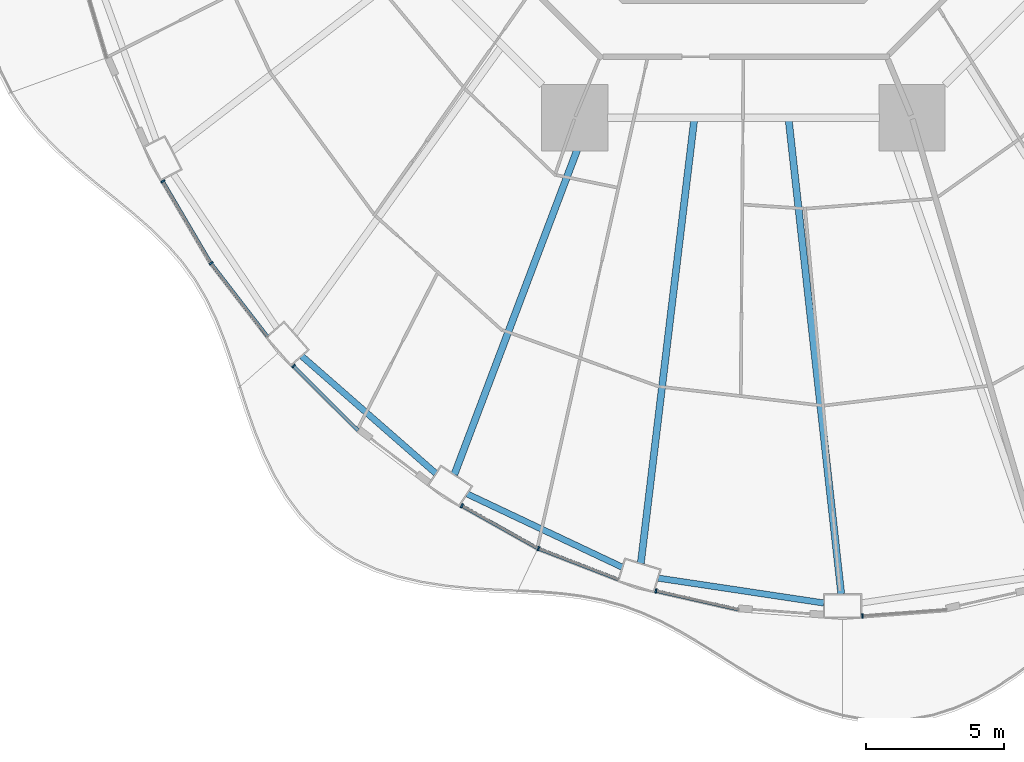
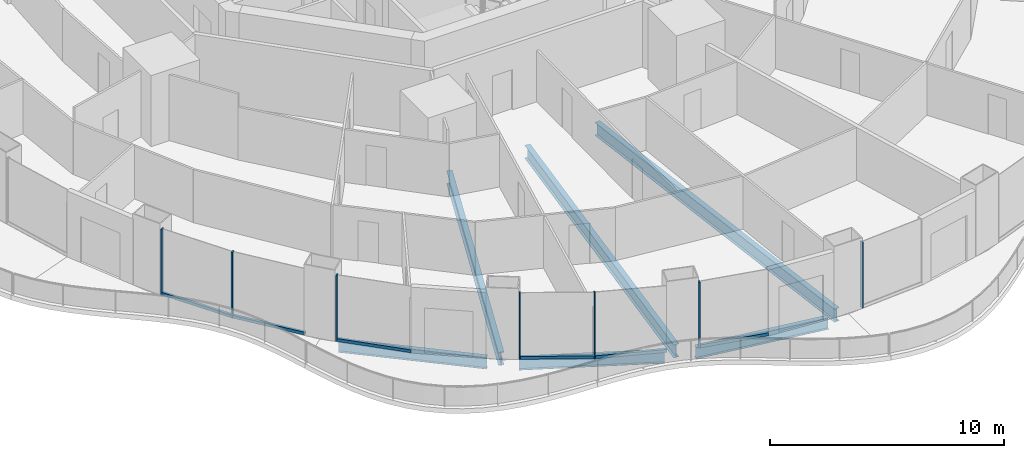
# One storey, part 2 of 22: 13 members, 6 beams, 7 elements without a shape of their own.
"""IFC4 building model written with IfcOpenShell, lengths in metres."""

from ifc_helpers import new_model, si_unit, direction, frame, origin, origin_2d, place, context, subcontext, project, spatial, rectangle, i_section, extrude, material, layer, layer_set, material_profile, profile_set, type_object, element, aggregate, save


model = new_model("IFC4")

# Units and contexts
model_context = context("Model", 3, precision=1e-05, world=origin(), true_north=direction((0.0, 1.0)))
body_context = subcontext(model_context, "Body", "Model", "MODEL_VIEW")
ifc_project = project(units=[si_unit("LENGTHUNIT", "METRE"), si_unit("AREAUNIT", "SQUARE_METRE"), si_unit("VOLUMEUNIT", "CUBIC_METRE"), si_unit("PLANEANGLEUNIT", "RADIAN"), si_unit("MASSUNIT", "GRAM", prefix="KILO")], contexts=[model_context])

# Site, building, storey
site_placement = place(None, origin())
site = spatial("IfcSite", under=ifc_project, at=site_placement, CompositionType="ELEMENT")
building_placement = place(site_placement, origin())
building = spatial("IfcBuilding", under=site, at=building_placement, Name="Nagisa Residences", CompositionType="ELEMENT")
storey_placement = place(building_placement, frame((0.0, 0.0, 41.800048828125)))
storey = spatial("IfcBuildingStorey", under=building, at=storey_placement, Name="L09", CompositionType="ELEMENT", Elevation=41.800048828125)

# Curtain wall, member
ifc_material_1 = material(Name="Concrete-coloured aluminium curtain wall system", Category="concrete")
ifc_layer = layer(ifc_material_1, 0.159912109375)
ifc_layer_set = layer_set([ifc_layer], Name="CW1 CURTAIN WALL")
curtain_wall_type = type_object("IfcCurtainWallType", Name="CW1 CURTAIN WALL", PredefinedType="NOTDEFINED", material=ifc_layer_set)
curtain_wall_1_placement = place(storey_placement, origin())
curtain_wall_1 = element("IfcCurtainWall", 1, at=curtain_wall_1_placement, inside=storey, type_object=curtain_wall_type, Name="cw:CW1:L09:28", PredefinedType="NOTDEFINED")
ifc_material_2 = material(Name="Concrete-coloured aluminium", Category="concrete")
ifc_material_profile_1 = material_profile(ifc_material_2, rectangle(XDim=0.159912109375, YDim=0.06005859375, at=origin_2d()), Name="CW1 MULLION 160x60")
ifc_profile_set_1 = profile_set([ifc_material_profile_1], Name="Concrete-coloured aluminium")
member_type_1 = type_object("IfcMemberType", Name="CW1 MULLION 160x60", PredefinedType="MULLION", material=ifc_profile_set_1)
member_1_placement = place(storey_placement, frame((-21.076171875, -17.089111328125, 0.0), z_axis=(0.0, 0.0, 1.0), x_axis=(0.862328898214, 0.506348567002, 0.0)))
member_1 = element("IfcMember", 2, at=member_1_placement, type_object=member_type_1, Name="CW1 mullion", PredefinedType="MULLION", context=body_context, shape_type="SweptSolid", body=[
    extrude(rectangle(XDim=0.159912109375, YDim=0.06005859375, at=origin_2d()), origin(), (0.0, 0.0, 1.0), 3.43994140625),
])

curtain_wall_2_placement = place(storey_placement, origin())
curtain_wall_2 = element("IfcCurtainWall", 3, at=curtain_wall_2_placement, inside=storey, type_object=curtain_wall_type, Name="cw:CW1:L09:29", PredefinedType="NOTDEFINED")
member_2_placement = place(storey_placement, frame((-19.32568359375, -20.06396484375, 0.0), z_axis=(0.0, 0.0, 1.0), x_axis=(0.792070340816, 0.610429828235, 0.0)))
member_2 = element("IfcMember", 4, at=member_2_placement, type_object=member_type_1, Name="CW1 mullion", PredefinedType="MULLION", context=body_context, shape_type="SweptSolid", body=[
    extrude(rectangle(XDim=0.159912109375, YDim=0.06005859375, at=origin_2d()), origin(), (0.0, 0.0, 1.0), 3.43994140625),
])

curtain_wall_3_placement = place(storey_placement, origin())
curtain_wall_3 = element("IfcCurtainWall", 5, at=curtain_wall_3_placement, inside=storey, type_object=curtain_wall_type, Name="cw:CW1:L09:30", PredefinedType="NOTDEFINED")
member_3_placement = place(storey_placement, frame((-16.332763671875, -23.79345703125, 0.0), z_axis=(0.0, 0.0, 1.0), x_axis=(0.706376885714, 0.707835924016, 0.0)))
member_3 = element("IfcMember", 6, at=member_3_placement, type_object=member_type_1, Name="CW1 mullion", PredefinedType="MULLION", context=body_context, shape_type="SweptSolid", body=[
    extrude(rectangle(XDim=0.159912109375, YDim=0.06005859375, at=origin_2d()), origin(), (0.0, 0.0, 1.0), 3.43994140625),
])

curtain_wall_4_placement = place(storey_placement, origin())
curtain_wall_4 = element("IfcCurtainWall", 7, at=curtain_wall_4_placement, inside=storey, type_object=curtain_wall_type, Name="cw:CW1:L09:32", PredefinedType="NOTDEFINED")
member_4_placement = place(storey_placement, frame((-10.22412109375, -28.8662109375, 0.0), z_axis=(0.0, 0.0, 1.0), x_axis=(0.489376918501, 0.872072377523, 0.0)))
member_4 = element("IfcMember", 8, at=member_4_placement, type_object=member_type_1, Name="CW1 mullion", PredefinedType="MULLION", context=body_context, shape_type="SweptSolid", body=[
    extrude(rectangle(XDim=0.159912109375, YDim=0.06005859375, at=origin_2d()), origin(), (0.0, 0.0, 1.0), 3.43994140625),
])

curtain_wall_5_placement = place(storey_placement, origin())
curtain_wall_5 = element("IfcCurtainWall", 9, at=curtain_wall_5_placement, inside=storey, type_object=curtain_wall_type, Name="cw:CW1:L09:33", PredefinedType="NOTDEFINED")
member_5_placement = place(storey_placement, frame((-7.44091796875, -30.42431640625, 0.0), z_axis=(0.0, 0.0, 1.0), x_axis=(0.360327770268, 0.932825759707, 0.0)))
member_5 = element("IfcMember", 10, at=member_5_placement, type_object=member_type_1, Name="CW1 mullion", PredefinedType="MULLION", context=body_context, shape_type="SweptSolid", body=[
    extrude(rectangle(XDim=0.159912109375, YDim=0.06005859375, at=origin_2d()), origin(), (0.0, 0.0, 1.0), 3.43994140625),
])

curtain_wall_6_placement = place(storey_placement, origin())
curtain_wall_6 = element("IfcCurtainWall", 11, at=curtain_wall_6_placement, inside=storey, type_object=curtain_wall_type, Name="cw:CW1:L09:34", PredefinedType="NOTDEFINED")
member_6_placement = place(storey_placement, frame((-3.176025390625, -31.958740234375, 0.0), z_axis=(0.0, 0.0, 1.0), x_axis=(0.2207639201, 0.975327274089, 0.0)))
member_6 = element("IfcMember", 12, at=member_6_placement, type_object=member_type_1, Name="CW1 mullion", PredefinedType="MULLION", context=body_context, shape_type="SweptSolid", body=[
    extrude(rectangle(XDim=0.159912109375, YDim=0.06005859375, at=origin_2d()), origin(), (0.0, 0.0, 1.0), 3.43994140625),
])

curtain_wall_7_placement = place(storey_placement, origin())
curtain_wall_7 = element("IfcCurtainWall", 13, at=curtain_wall_7_placement, inside=storey, type_object=curtain_wall_type, Name="cw:CW1:L09:36", PredefinedType="NOTDEFINED")
member_7_placement = place(storey_placement, frame((4.322021484375, -32.865966796875, 0.0), z_axis=(0.0, 0.0, 1.0), x_axis=(-0.074377355493, 0.997230168512, 0.0)))
member_7 = element("IfcMember", 14, at=member_7_placement, type_object=member_type_1, Name="CW1 mullion", PredefinedType="MULLION", context=body_context, shape_type="SweptSolid", body=[
    extrude(rectangle(XDim=0.159912109375, YDim=0.06005859375, at=origin_2d()), origin(), (0.0, 0.0, 1.0), 3.43994140625),
])
aggregate(curtain_wall_7, [member_7])

# Member
ifc_material_3 = material(Name="Concrete-coloured aluminium", Category="concrete")
ifc_material_profile_2 = material_profile(ifc_material_3, rectangle(XDim=0.1201171875, YDim=0.14990234375, at=origin_2d()), Name="CW1 TRANSOM 120x150")
ifc_profile_set_2 = profile_set([ifc_material_profile_2], Name="Concrete-coloured aluminium")
member_type_2 = type_object("IfcMemberType", Name="CW1 TRANSOM 120x150", PredefinedType="USERDEFINED", material=ifc_profile_set_2)
member_8_placement = place(storey_placement, frame((-21.09130859375, -17.063232421875, 0.074951171875), z_axis=(0.506341951316, -0.862332782827, 0.0), x_axis=(0.862332782827, 0.506341951316, 0.0)))
member_8 = element("IfcMember", 15, at=member_8_placement, type_object=member_type_2, Name="CW1 transom", ObjectType="TRANSOM", PredefinedType="USERDEFINED", context=body_context, shape_type="SweptSolid", body=[
    extrude(rectangle(XDim=0.1201171875, YDim=0.14990234375, at=origin_2d()), origin(), (0.0, 0.0, 1.0), 3.4619140625),
])

aggregate(curtain_wall_1, [member_1, member_8])

member_9_placement = place(storey_placement, frame((-19.343994140625, -20.040283203125, 0.074951171875), z_axis=(0.610457147657, -0.792049285635, 0.0), x_axis=(0.792049285635, 0.610457147657, 0.0)))
member_9 = element("IfcMember", 16, at=member_9_placement, type_object=member_type_2, Name="CW1 transom", ObjectType="TRANSOM", PredefinedType="USERDEFINED", context=body_context, shape_type="SweptSolid", body=[
    extrude(rectangle(XDim=0.1201171875, YDim=0.14990234375, at=origin_2d()), origin(), (0.0, 0.0, 1.0), 3.3974609375),
])

aggregate(curtain_wall_2, [member_2, member_9])

member_10_placement = place(storey_placement, frame((-16.35400390625, -23.7724609375, 0.074951171875), z_axis=(0.707839761606, -0.706373040177, 0.0), x_axis=(0.706373040177, 0.707839761606, 0.0)))
member_10 = element("IfcMember", 17, at=member_10_placement, type_object=member_type_2, Name="CW1 transom", ObjectType="TRANSOM", PredefinedType="USERDEFINED", context=body_context, shape_type="SweptSolid", body=[
    extrude(rectangle(XDim=0.1201171875, YDim=0.14990234375, at=origin_2d()), origin(), (0.0, 0.0, 1.0), 3.3291015625),
])

aggregate(curtain_wall_3, [member_3, member_10])

member_11_placement = place(storey_placement, frame((-10.25048828125, -28.8515625, 0.074951171875), z_axis=(0.872070011948, -0.489381133946, 0.0), x_axis=(0.489381133946, 0.872070011948, 0.0)))
member_11 = element("IfcMember", 18, at=member_11_placement, type_object=member_type_2, Name="CW1 transom", ObjectType="TRANSOM", PredefinedType="USERDEFINED", context=body_context, shape_type="SweptSolid", body=[
    extrude(rectangle(XDim=0.1201171875, YDim=0.14990234375, at=origin_2d()), origin(), (0.0, 0.0, 1.0), 3.201171875),
])

aggregate(curtain_wall_4, [member_4, member_11])

member_12_placement = place(storey_placement, frame((-7.468994140625, -30.413330078125, 0.074951171875), z_axis=(0.932835426425, -0.360302743822, 0.0), x_axis=(0.360302743822, 0.932835426425, 0.0)))
member_12 = element("IfcMember", 19, at=member_12_placement, type_object=member_type_2, Name="CW1 transom", ObjectType="TRANSOM", PredefinedType="USERDEFINED", context=body_context, shape_type="SweptSolid", body=[
    extrude(rectangle(XDim=0.1201171875, YDim=0.14990234375, at=origin_2d()), origin(), (0.0, 0.0, 1.0), 3.15087890625),
])

aggregate(curtain_wall_5, [member_5, member_12])

member_13_placement = place(storey_placement, frame((-3.205322265625, -31.9521484375, 0.074951171875), z_axis=(0.97533495413, -0.220729987208, 0.0), x_axis=(0.220729987208, 0.97533495413, 0.0)))
member_13 = element("IfcMember", 20, at=member_13_placement, type_object=member_type_2, Name="CW1 transom", ObjectType="TRANSOM", PredefinedType="USERDEFINED", context=body_context, shape_type="SweptSolid", body=[
    extrude(rectangle(XDim=0.1201171875, YDim=0.14990234375, at=origin_2d()), origin(), (0.0, 0.0, 1.0), 3.11474609375),
])

aggregate(curtain_wall_6, [member_6, member_13])

# Beams
ifc_material_4 = material(Name="Steel ASTM A572 Gr 50", Category="steel")
ifc_material_profile_3 = material_profile(ifc_material_4, i_section(OverallWidth=0.22802734375, OverallDepth=0.60302734375, WebThickness=0.010498046875, FlangeThickness=0.014892578125, at=origin_2d()), Name="W610x101")
ifc_profile_set_3 = profile_set([ifc_material_profile_3], Name="Steel ASTM A572 Gr 50")
beam_type_1 = type_object("IfcBeamType", Name="Perimeter ring beam W610x101", PredefinedType="BEAM", material=ifc_profile_set_3)
beam_1_placement = place(storey_placement, frame((-16.0361328125, -23.432861328125, -0.5615234375), z_axis=(0.752574357292, -0.658507279191, 0.0), x_axis=(0.658507279191, 0.752574357292, 0.0)))
element("IfcBeam", 21, at=beam_1_placement, inside=storey, type_object=beam_type_1, Name="beam:L09:pb16", PredefinedType="BEAM", context=body_context, shape_type="SweptSolid", body=[
    extrude(i_section(OverallWidth=0.22802734375, OverallDepth=0.60302734375, WebThickness=0.010498046875, FlangeThickness=0.014892578125, at=origin_2d()), origin(), (0.0, 0.0, 1.0), 6.47021484375),
])
beam_2_placement = place(storey_placement, frame((-10.02880859375, -28.439208984375, -0.5615234375), z_axis=(0.904208275867, -0.427091786216, 0.0), x_axis=(0.427091786216, 0.904208275867, 0.0)))
element("IfcBeam", 22, at=beam_2_placement, inside=storey, type_object=beam_type_1, Name="beam:L09:pb17", PredefinedType="BEAM", context=body_context, shape_type="SweptSolid", body=[
    extrude(i_section(OverallWidth=0.22802734375, OverallDepth=0.60302734375, WebThickness=0.010498046875, FlangeThickness=0.014892578125, at=origin_2d()), origin(), (0.0, 0.0, 1.0), 6.227294921875),
])
beam_3_placement = place(storey_placement, frame((-3.096435546875, -31.49462890625, -0.5615234375), z_axis=(0.988914559467, -0.14848566959, 0.0), x_axis=(0.14848566959, 0.988914559467, 0.0)))
element("IfcBeam", 23, at=beam_3_placement, inside=storey, type_object=beam_type_1, Name="beam:L09:pb18", PredefinedType="BEAM", context=body_context, shape_type="SweptSolid", body=[
    extrude(i_section(OverallWidth=0.22802734375, OverallDepth=0.60302734375, WebThickness=0.010498046875, FlangeThickness=0.014892578125, at=origin_2d()), origin(), (0.0, 0.0, 1.0), 6.08349609375),
])
ifc_material_5 = material(Name="Steel ASTM A572 Gr 50", Category="steel")
ifc_material_profile_4 = material_profile(ifc_material_5, i_section(OverallWidth=0.25390625, OverallDepth=0.68408203125, WebThickness=0.012451171875, FlangeThickness=0.018798828125, at=origin_2d()), Name="W690x140")
ifc_profile_set_4 = profile_set([ifc_material_profile_4], Name="Steel ASTM A572 Gr 50")
beam_type_2 = type_object("IfcBeamType", Name="Radial beam W690x140", PredefinedType="BEAM", material=ifc_profile_set_4)
beam_4_placement = place(storey_placement, frame((-10.493896484375, -27.7333984375, -0.60205078125), z_axis=(0.353887892206, 0.935287848606, 0.0), x_axis=(-0.935287848606, 0.353887892206, 0.0)))
element("IfcBeam", 24, at=beam_4_placement, inside=storey, type_object=beam_type_2, Name="beam:L09:rb17", PredefinedType="BEAM", context=body_context, shape_type="SweptSolid", body=[
    extrude(i_section(OverallWidth=0.25390625, OverallDepth=0.68408203125, WebThickness=0.012451171875, FlangeThickness=0.018798828125, at=origin_2d()), origin(), (0.0, 0.0, 1.0), 13.725830078125),
])
beam_5_placement = place(storey_placement, frame((-3.72412109375, -30.958740234375, -0.60205078125), z_axis=(0.119431411612, 0.992842453726, 0.0), x_axis=(-0.992842453726, 0.119431411612, 0.0)))
element("IfcBeam", 25, at=beam_5_placement, inside=storey, type_object=beam_type_2, Name="beam:L09:rb18", PredefinedType="BEAM", context=body_context, shape_type="SweptSolid", body=[
    extrude(i_section(OverallWidth=0.25390625, OverallDepth=0.68408203125, WebThickness=0.012451171875, FlangeThickness=0.018798828125, at=origin_2d()), origin(), (0.0, 0.0, 1.0), 16.1796875),
])
beam_6_placement = place(storey_placement, frame((3.55224609375, -32.06982421875, -0.60205078125), z_axis=(-0.110088818647, 0.993921753464, 0.0), x_axis=(-0.993921753464, -0.110088818647, 0.0)))
element("IfcBeam", 26, at=beam_6_placement, inside=storey, type_object=beam_type_2, Name="beam:L09:rb19", PredefinedType="BEAM", context=body_context, shape_type="SweptSolid", body=[
    extrude(i_section(OverallWidth=0.25390625, OverallDepth=0.68408203125, WebThickness=0.012451171875, FlangeThickness=0.018798828125, at=origin_2d()), origin(), (0.0, 0.0, 1.0), 17.280029296875),
])

save(model, "model.ifc")
